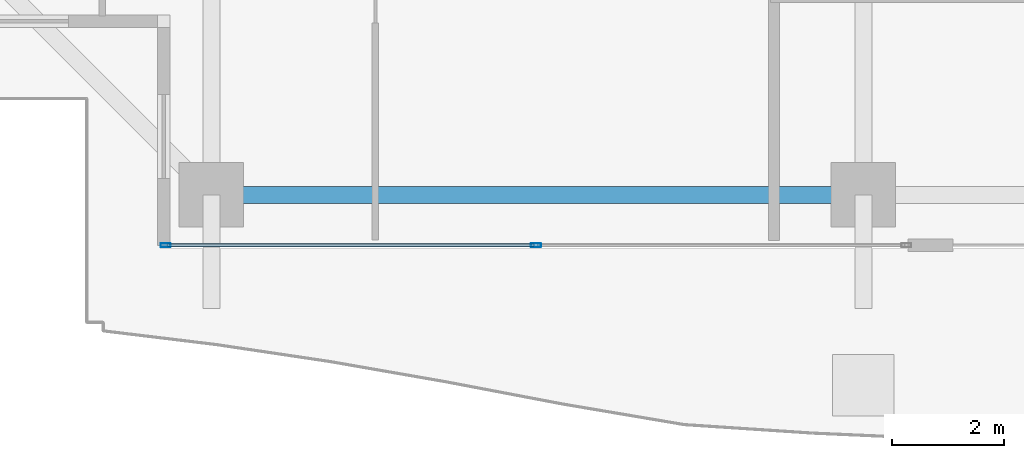
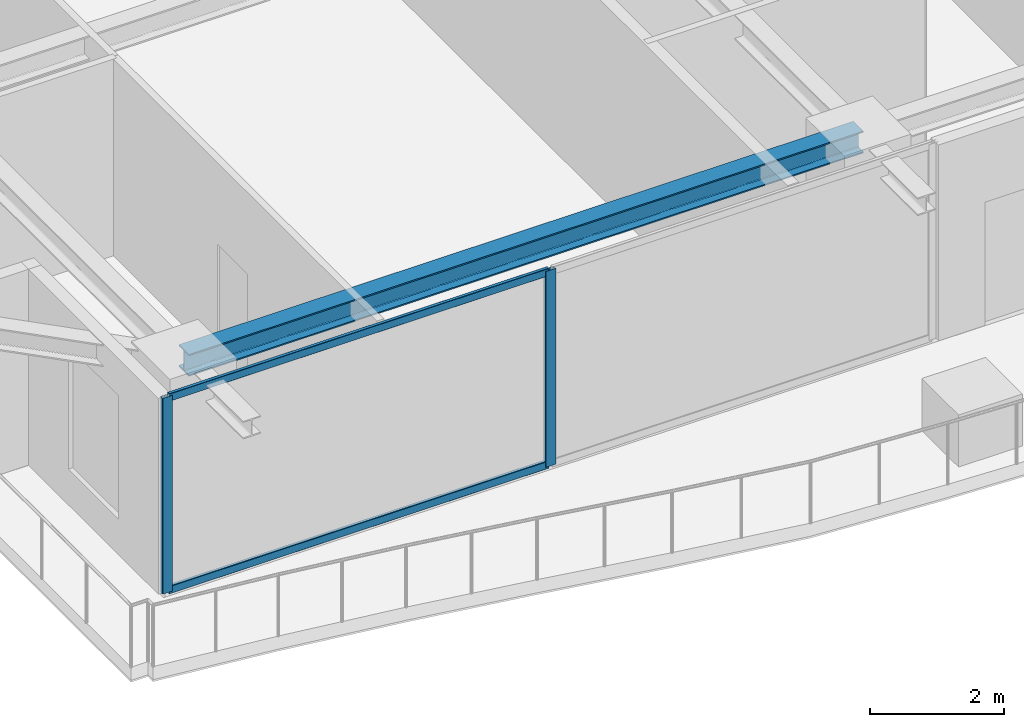
# One storey, part 2 of 37: 4 members, 1 beam, 1 element without a shape of its own.
"""IFC4 building model written with IfcOpenShell, lengths in metres."""

import ifcopenshell
import ifcopenshell.guid

model = None  # the IFC model being written
_history = None  # IfcOwnerHistory: only IFC2X3 demands one
_inside = {}  # id of a spatial element -> (the spatial element, [elements in it])
_under = {}  # id of a project, library or spatial element -> (it, [spatial elements below it])
_declared = {}  # id of a project -> (the project, [libraries it declares])
_typed = {}  # id of a type object -> (the type object, [elements of that type])
_made_of = {}  # id of a material, layer set ... -> (it, [elements and type objects made of it])


def new_model(schema):
    """Start an empty IFC model of exactly this schema.

    Asked for "IFC4X3", IfcOpenShell would pick the latest addendum, in which some entities
    have other attributes; the version numbers below select the first issue.
    IFC2X3 requires an IfcOwnerHistory on every rooted entity: one is made here for all.
    """
    global model, _history
    if schema == "IFC4X3":
        model = ifcopenshell.file(schema_version=(4, 3, 0, 0))
    else:
        model = ifcopenshell.file(schema=schema)
    _inside.clear()
    _under.clear()
    _declared.clear()
    _typed.clear()
    _made_of.clear()
    _history = None
    if model.schema == "IFC2X3":
        org = make("IfcOrganization", Name="unknown")
        user = make(
            "IfcPersonAndOrganization",
            ThePerson=make("IfcPerson", FamilyName="unknown"),
            TheOrganization=org,
        )
        app = make(
            "IfcApplication",
            ApplicationDeveloper=org,
            Version="unknown",
            ApplicationFullName="unknown",
            ApplicationIdentifier="unknown",
        )
        _history = make(
            "IfcOwnerHistory",
            OwningUser=user,
            OwningApplication=app,
            ChangeAction="ADDED",
            CreationDate=0,
        )
    return model


def make(cls, **values):
    """One entity of the class cls with the attributes given. An attribute that is None is left unset."""
    return model.create_entity(
        cls, **{name: value for name, value in values.items() if value is not None}
    )


def rooted(cls, **values):
    """An entity with a GlobalId (a new one), such as an element, a storey or a relation."""
    return make(cls, GlobalId=ifcopenshell.guid.new(), OwnerHistory=_history, **values)


def si_unit(unit_type, name, prefix=None):
    """IfcSIUnit, for example si_unit("LENGTHUNIT", "METRE", prefix="MILLI")."""
    return make("IfcSIUnit", UnitType=unit_type, Prefix=prefix, Name=name)


def assignment(units):
    """IfcUnitAssignment: the units of a project."""
    return None if units is None else make("IfcUnitAssignment", Units=units)


def point(xyz):
    """IfcCartesianPoint."""
    return None if xyz is None else make("IfcCartesianPoint", Coordinates=xyz)


def direction(xyz):
    """IfcDirection."""
    return None if xyz is None else make("IfcDirection", DirectionRatios=xyz)


def frame(location, z_axis=None, x_axis=None):
    """IfcAxis2Placement3D, a coordinate frame: its origin and axes. An axis left out is left unset."""
    return make(
        "IfcAxis2Placement3D",
        Location=point(location),
        Axis=direction(z_axis),
        RefDirection=direction(x_axis),
    )


def frame_2d(location, x_axis=None):
    """IfcAxis2Placement2D, a coordinate frame in the plane: its origin and x axis."""
    return make(
        "IfcAxis2Placement2D", Location=point(location), RefDirection=direction(x_axis)
    )


def origin():
    """The frame at (0, 0, 0) with its axes left unset."""
    return frame((0.0, 0.0, 0.0))


def origin_2d():
    """The frame at (0, 0) in the plane with its x axis left unset."""
    return frame_2d((0.0, 0.0))


def place(relative_to, where):
    """IfcLocalPlacement: puts the frame where relative to a parent placement (None: the world)."""
    return make(
        "IfcLocalPlacement", PlacementRelTo=relative_to, RelativePlacement=where
    )


def context(
    kind, dimensions, precision=None, world=None, true_north=None, identifier=None
):
    """IfcGeometricRepresentationContext, for example the 3D "Model" context."""
    return make(
        "IfcGeometricRepresentationContext",
        ContextIdentifier=identifier,
        ContextType=kind,
        CoordinateSpaceDimension=dimensions,
        Precision=precision,
        WorldCoordinateSystem=world,
        TrueNorth=true_north,
    )


def subcontext(parent, identifier, kind, view, scale=None):
    """IfcGeometricRepresentationSubContext, for example "Body" below "Model"."""
    return make(
        "IfcGeometricRepresentationSubContext",
        ContextIdentifier=identifier,
        ContextType=kind,
        ParentContext=parent,
        TargetScale=scale,
        TargetView=view,
    )


def project(units=None, contexts=None):
    """IfcProject with its units and contexts."""
    return rooted(
        "IfcProject",
        Name="project",
        RepresentationContexts=contexts,
        UnitsInContext=assignment(units),
    )


def spatial(cls, under=None, at=None, **own):
    """A site, building, storey or space (cls), placed at a placement, below another one or the project."""
    s = rooted(cls, ObjectPlacement=at, **own)
    if under is not None:
        _under.setdefault(under.id(), (under, []))[1].append(s)
    return s


def profile(cls, at=None, kind="AREA", **sizes):
    """A parametric profile (cls). Its sizes go by their IFC names, for example OverallWidth=200.0."""
    return make(cls, ProfileType=kind, Position=at, **sizes)


def hollow_rectangle(**sizes):
    """IfcRectangleHollowProfileDef."""
    return profile("IfcRectangleHollowProfileDef", **sizes)


def i_section(**sizes):
    """IfcIShapeProfileDef."""
    return profile("IfcIShapeProfileDef", **sizes)


def extrude(swept, where, along, depth):
    """IfcExtrudedAreaSolid: the profile swept, set in the frame where, extruded along a direction by depth."""
    return make(
        "IfcExtrudedAreaSolid",
        SweptArea=swept,
        Position=where,
        ExtrudedDirection=direction(along),
        Depth=depth,
    )


def shape(context_of_items, identifier, shape_type, items):
    """IfcShapeRepresentation: the items that make up one representation, for example the "Body"."""
    return make(
        "IfcShapeRepresentation",
        ContextOfItems=context_of_items,
        RepresentationIdentifier=identifier,
        RepresentationType=shape_type,
        Items=items,
    )


def source(mapping_origin, context_of_items, identifier, shape_type, items):
    """IfcRepresentationMap: a shape defined once, which mapped items show again and again."""
    return make(
        "IfcRepresentationMap",
        MappingOrigin=mapping_origin,
        MappedRepresentation=shape(context_of_items, identifier, shape_type, items),
    )


def transform(
    local_origin,
    x_axis=None,
    y_axis=None,
    z_axis=None,
    scale=None,
    scale2=None,
    scale3=None,
    uniform=True,
):
    """IfcCartesianTransformationOperator3D, or its non-uniform kind. x_axis, y_axis, z_axis: its Axis1, 2, 3."""
    if uniform:
        return make(
            "IfcCartesianTransformationOperator3D",
            Axis1=direction(x_axis),
            Axis2=direction(y_axis),
            LocalOrigin=point(local_origin),
            Scale=scale,
            Axis3=direction(z_axis),
        )
    return make(
        "IfcCartesianTransformationOperator3DnonUniform",
        Axis1=direction(x_axis),
        Axis2=direction(y_axis),
        LocalOrigin=point(local_origin),
        Scale=scale,
        Axis3=direction(z_axis),
        Scale2=scale2,
        Scale3=scale3,
    )


def mapped(mapping_source, mapping_target):
    """IfcMappedItem: shows the shape of a source again, moved by a transform."""
    return make(
        "IfcMappedItem", MappingSource=mapping_source, MappingTarget=mapping_target
    )


def material(Name=None, Category=None):
    """IfcMaterial."""
    return make("IfcMaterial", Name=Name, Category=Category)


def layer(
    of_material, thickness, ventilated=None, Name=None, Category=None, Priority=None
):
    """IfcMaterialLayer: one layer of a wall or slab, of a material (None: an air gap)."""
    return make(
        "IfcMaterialLayer",
        Material=of_material,
        LayerThickness=thickness,
        IsVentilated=ventilated,
        Name=Name,
        Category=Category,
        Priority=Priority,
    )


def layer_set(layers, Name=None):
    """IfcMaterialLayerSet."""
    return make("IfcMaterialLayerSet", MaterialLayers=layers, LayerSetName=Name)


def material_profile(
    of_material, cross_section, Name=None, Category=None, Priority=None
):
    """IfcMaterialProfile: a cross section and its material."""
    return make(
        "IfcMaterialProfile",
        Name=Name,
        Material=of_material,
        Profile=cross_section,
        Priority=Priority,
        Category=Category,
    )


def profile_set(profiles, Name=None, composite=None):
    """IfcMaterialProfileSet."""
    return make(
        "IfcMaterialProfileSet",
        Name=Name,
        MaterialProfiles=profiles,
        CompositeProfile=composite,
    )


def made_of(thing, what):
    """Note that an element or type object is made of a material, layer set ...; save() writes the relation."""
    if what is not None:
        _made_of.setdefault(what.id(), (what, []))[1].append(thing)
    return thing


def type_object(cls, material=None, **own):
    """A type object (cls), such as IfcWallType, which elements share."""
    return made_of(rooted(cls, **own), material)


def element(
    cls,
    number,
    at=None,
    inside=None,
    cuts=None,
    type_object=None,
    material=None,
    context=None,
    identifier="Body",
    shape_type=None,
    held_by="IfcProductDefinitionShape",
    body=None,
    shapes=None,
    **own,
):
    """One element of the class cls, such as IfcWall. Its Tag is "e" and its number.

    at: its placement. inside: the storey or other place that contains it. cuts: it is an
    opening in that element (IfcRelVoidsElement). A single representation is given by context,
    identifier, shape_type and body (its items); several are given by shapes. held_by: the class
    of the entity that holds the representations. save() writes the other relations.
    """
    e = rooted(cls, Tag="e%d" % number, ObjectPlacement=at, **own)
    if body is not None:
        shapes = [shape(context, identifier, shape_type, body)]
    if shapes is not None:
        e.Representation = make(held_by, Representations=shapes)
    if inside is not None:
        _inside.setdefault(inside.id(), (inside, []))[1].append(e)
    if cuts is not None:
        rooted(
            "IfcRelVoidsElement", RelatingBuildingElement=cuts, RelatedOpeningElement=e
        )
    if type_object is not None:
        _typed.setdefault(type_object.id(), (type_object, []))[1].append(e)
    return made_of(e, material)


def aggregate(whole, parts):
    """IfcRelAggregates: a whole, such as a stair, and the parts it consists of."""
    return rooted("IfcRelAggregates", RelatingObject=whole, RelatedObjects=parts)


def save(model, path):
    """Write the relations noted so far, then the file.

    IfcRelAggregates (storeys below a building ...), IfcRelContainedInSpatialStructure (elements
    in a storey), IfcRelDefinesByType, IfcRelAssociatesMaterial and IfcRelDeclares: one each for
    every whole, place, type object, material and project.
    """
    for whole, parts in _under.values():
        aggregate(whole, parts)
    for where, things in _inside.values():
        rooted(
            "IfcRelContainedInSpatialStructure",
            RelatedElements=things,
            RelatingStructure=where,
        )
    for kind, things in _typed.values():
        rooted("IfcRelDefinesByType", RelatedObjects=things, RelatingType=kind)
    for what, things in _made_of.values():
        rooted("IfcRelAssociatesMaterial", RelatedObjects=things, RelatingMaterial=what)
    for by, libraries in _declared.values():
        rooted("IfcRelDeclares", RelatingContext=by, RelatedDefinitions=libraries)
    model.write(path)


model = new_model("IFC4")

# Units and contexts
model_context = context("Model", 3, precision=1e-05, world=origin(), true_north=direction((0.0, 1.0)))
body_context = subcontext(model_context, "Body", "Model", "MODEL_VIEW")
ifc_project = project(units=[si_unit("LENGTHUNIT", "METRE"), si_unit("AREAUNIT", "SQUARE_METRE"), si_unit("VOLUMEUNIT", "CUBIC_METRE"), si_unit("PLANEANGLEUNIT", "RADIAN"), si_unit("MASSUNIT", "GRAM", prefix="KILO")], contexts=[model_context])

# Site, building, storey
site_placement = place(None, origin())
site = spatial("IfcSite", under=ifc_project, at=site_placement, CompositionType="ELEMENT")
building_placement = place(site_placement, origin())
building = spatial("IfcBuilding", under=site, at=building_placement, Name="Serunith Strait Residences", CompositionType="ELEMENT")
storey_placement = place(building_placement, frame((0.0, 0.0, 275.89990234375)))
storey = spatial("IfcBuildingStorey", under=building, at=storey_placement, Name="L69", CompositionType="ELEMENT", Elevation=275.89990234375)

# Beam
ifc_material_1 = material(Name="Steel S355J2", Category="steel")
ifc_material_profile_1 = material_profile(ifc_material_1, i_section(OverallWidth=0.300048828125, OverallDepth=0.39990234375, WebThickness=0.013427734375, FlangeThickness=0.02392578125, FilletRadius=0.027099609375, at=origin_2d()), Name="HEB 400")
ifc_profile_set_1 = profile_set([ifc_material_profile_1], Name="Steel S355J2")
beam_type = type_object("IfcBeamType", Name="BM-HEB400", PredefinedType="BEAM", material=ifc_profile_set_1)
shared_shape_1 = source(origin(), body_context, "Body", "SweptSolid", [
    extrude(i_section(OverallWidth=0.300048828125, OverallDepth=0.39990234375, WebThickness=0.013427734375, FlangeThickness=0.02392578125, FilletRadius=0.027099609375, at=origin_2d()), origin(), (0.0, 0.0, 1.0), 11.64990234375),
])
beam_placement = place(storey_placement, frame((16.25, 2.10009765625, 3.38720703125), z_axis=(1.0, 0.0, 0.0), x_axis=(0.0, 1.0, 0.0)))
element("IfcBeam", 1, at=beam_placement, inside=storey, type_object=beam_type, Name="L69 Perimeter Ring Beam 01", PredefinedType="BEAM", context=body_context, shape_type="MappedRepresentation", body=[
    mapped(shared_shape_1, transform((0.0, 0.0, 0.0), scale=1.0)),
])

# Curtain wall, members
ifc_material_2 = material(Name="Pale-Champagne Anodised Aluminium", Category="aluminium")
ifc_layer = layer(ifc_material_2, 0.199951171875, Name="Pale-Champagne Anodised Aluminium")
ifc_layer_set = layer_set([ifc_layer], Name="Pale-Champagne Anodised Aluminium")
curtain_wall_type = type_object("IfcCurtainWallType", Name="CW-SYS4", PredefinedType="NOTDEFINED", material=ifc_layer_set)
curtain_wall_placement = place(storey_placement, origin())
curtain_wall = element("IfcCurtainWall", 2, at=curtain_wall_placement, inside=storey, type_object=curtain_wall_type, Name="L69 S Unitised Fritted Curtain Wall", PredefinedType="NOTDEFINED")
ifc_material_profile_2 = material_profile(ifc_material_2, hollow_rectangle(XDim=0.06494140625, YDim=0.179931640625, WallThickness=0.00341796875, InnerFilletRadius=0.00537109375, OuterFilletRadius=0.0087890625, at=origin_2d()), Name="ALU 180x65x3.5")
ifc_profile_set_2 = profile_set([ifc_material_profile_2], Name="Pale-Champagne Anodised Aluminium")
member_type_1 = type_object("IfcMemberType", Name="CW-SYS4-MULL", PredefinedType="MULLION", material=ifc_profile_set_2)
shared_shape_2 = source(origin(), body_context, "Body", "SweptSolid", [
    extrude(hollow_rectangle(XDim=0.06494140625, YDim=0.179931640625, WallThickness=0.00341796875, InnerFilletRadius=0.00537109375, OuterFilletRadius=0.0087890625, at=origin_2d()), origin(), (0.0, 0.0, 1.0), 3.5751953125),
])
member_1_placement = place(storey_placement, frame((15.4326171875, 1.199951171875, 0.0), z_axis=(0.0, 0.0, 1.0), x_axis=(0.0, 1.0, 0.0)))
member_1 = element("IfcMember", 3, at=member_1_placement, type_object=member_type_1, Name="CW-4 mullion 1", PredefinedType="MULLION", context=body_context, shape_type="MappedRepresentation", body=[
    mapped(shared_shape_2, transform((0.0, 0.0, 0.0), scale=1.0)),
])
member_2_placement = place(storey_placement, frame((22.050048828125, 1.199951171875, 0.0), z_axis=(0.0, 0.0, 1.0), x_axis=(0.0, 1.0, 0.0)))
member_2 = element("IfcMember", 4, at=member_2_placement, type_object=member_type_1, Name="CW-4 mullion 2", PredefinedType="MULLION", context=body_context, shape_type="MappedRepresentation", body=[
    mapped(shared_shape_2, transform((0.0, 0.0, 0.0), scale=1.0)),
])
ifc_material_profile_3 = material_profile(ifc_material_2, hollow_rectangle(XDim=0.06005859375, YDim=0.139892578125, WallThickness=0.00341796875, InnerFilletRadius=0.00537109375, OuterFilletRadius=0.0087890625, at=origin_2d()), Name="ALU 140x60x3.5")
ifc_profile_set_3 = profile_set([ifc_material_profile_3], Name="Pale-Champagne Anodised Aluminium")
member_type_2 = type_object("IfcMemberType", Name="CW-SYS4-TRAN", PredefinedType="USERDEFINED", material=ifc_profile_set_3)
shared_shape_3 = source(origin(), body_context, "Body", "SweptSolid", [
    extrude(hollow_rectangle(XDim=0.06005859375, YDim=0.139892578125, WallThickness=0.00341796875, InnerFilletRadius=0.00537109375, OuterFilletRadius=0.0087890625, at=origin_2d()), origin(), (0.0, 0.0, 1.0), 6.552490234375),
])
member_3_placement = place(storey_placement, frame((15.465087890625, 1.199951171875, 0.030029296875), z_axis=(1.0, 0.0, 0.0), x_axis=(0.0, 1.0, 0.0)))
member_3 = element("IfcMember", 5, at=member_3_placement, type_object=member_type_2, Name="CW-4 transom 1.1", ObjectType="TRANSOM", PredefinedType="USERDEFINED", context=body_context, shape_type="MappedRepresentation", body=[
    mapped(shared_shape_3, transform((0.0, 0.0, 0.0), scale=1.0)),
])
member_4_placement = place(storey_placement, frame((15.465087890625, 1.199951171875, 3.545166015625), z_axis=(1.0, 0.0, 0.0), x_axis=(0.0, 1.0, 0.0)))
member_4 = element("IfcMember", 6, at=member_4_placement, type_object=member_type_2, Name="CW-4 transom 1.2", ObjectType="TRANSOM", PredefinedType="USERDEFINED", context=body_context, shape_type="MappedRepresentation", body=[
    mapped(shared_shape_3, transform((0.0, 0.0, 0.0), scale=1.0)),
])
aggregate(curtain_wall, [member_1, member_2, member_3, member_4])

save(model, "model.ifc")
